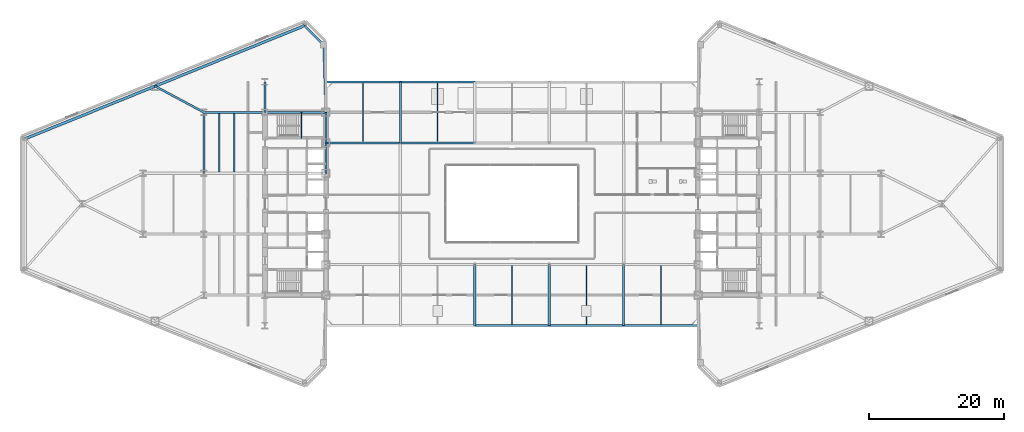
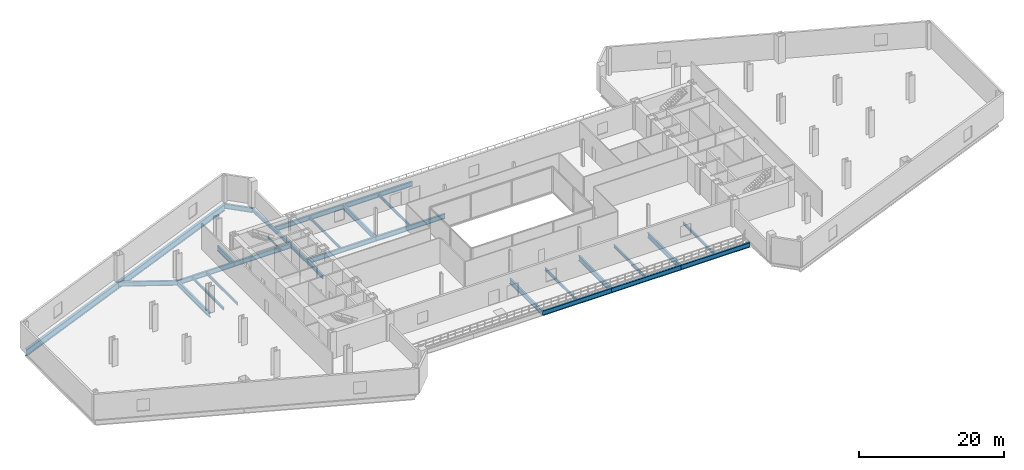
# One storey, part 11 of 23: 30 beams.
"""IFC4 building model written with IfcOpenShell, lengths in metres."""

from ifc_helpers import new_model, si_unit, direction, frame, origin, origin_2d, place, context, subcontext, project, spatial, i_section, extrude, source, transform, mapped, material, material_profile, profile_set, type_object, type_shapes, element, save


model = new_model("IFC4")

# Units and contexts
model_context = context("Model", 3, precision=1e-05, world=origin(), true_north=direction((0.0, 1.0)))
body_context = subcontext(model_context, "Body", "Model", "MODEL_VIEW")
ifc_project = project(units=[si_unit("LENGTHUNIT", "METRE"), si_unit("AREAUNIT", "SQUARE_METRE"), si_unit("VOLUMEUNIT", "CUBIC_METRE"), si_unit("PLANEANGLEUNIT", "RADIAN"), si_unit("MASSUNIT", "GRAM", prefix="KILO")], contexts=[model_context])

# Site, building, storey
site_placement = place(None, origin())
site = spatial("IfcSite", under=ifc_project, at=site_placement, CompositionType="ELEMENT")
building_placement = place(site_placement, origin())
building = spatial("IfcBuilding", under=site, at=building_placement, Name="Seokmaru Belvedere", CompositionType="ELEMENT")
storey_placement = place(building_placement, frame((0.0, 0.0, 14.39990234375)))
storey = spatial("IfcBuildingStorey", under=building, at=storey_placement, Name="L03", CompositionType="ELEMENT", Elevation=14.39990234375)

# Beams
ifc_material = material(Name="Steel SM355 (355 MPa)", Category="steel")
ifc_material_profile_1 = material_profile(ifc_material, i_section(OverallWidth=0.300048828125, OverallDepth=0.587890625, WebThickness=0.011962890625, FlangeThickness=0.02001953125, at=origin_2d()), Name="H-588x300x12x20")
ifc_profile_set_1 = profile_set([ifc_material_profile_1], Name="Steel SM355 (355 MPa)")
beam_type_1 = type_object("IfcBeamType", Name="Podium Edge Spandrel Beam H-588", PredefinedType="SPANDREL", material=ifc_profile_set_1)
shared_shape_1 = source(origin(), body_context, "Body", "SweptSolid", [
    extrude(i_section(OverallWidth=0.300048828125, OverallDepth=0.587890625, WebThickness=0.011962890625, FlangeThickness=0.02001953125, at=origin_2d()), origin(), (0.0, 0.0, 1.0), 4.5),
])
for number, where, z_axis, x_axis, name in (
    (1, (-27.5, 4.5, -0.573974609375), (0.0, 1.0, 0.0), (-1.0, 0.0, 0.0), "L03 W Portal Spine Spandrel 4"),
    (2, (-27.5, 9.0, -0.573974609375), (0.0, 1.0, 0.0), (-1.0, 0.0, 0.0), "L03 W Portal Spine Spandrel 5"),
):
    element("IfcBeam", number, at=place(storey_placement, frame(where, z_axis=z_axis, x_axis=x_axis)), inside=storey, type_object=beam_type_1, Name=name, PredefinedType="SPANDREL", context=body_context, shape_type="MappedRepresentation", body=[
        mapped(shared_shape_1, transform((0.0, 0.0, 0.0), scale=1.0)),
    ])
ifc_material_profile_2 = material_profile(ifc_material, i_section(OverallWidth=0.39990234375, OverallDepth=1.10009765625, WebThickness=0.02001953125, FlangeThickness=0.033935546875, at=origin_2d()), Name="BH-1100x400x20x34")
ifc_profile_set_2 = profile_set([ifc_material_profile_2], Name="Steel SM355 (355 MPa)")
beam_type_2 = type_object("IfcBeamType", Name="Sky-Gate Transverse Girder BH-1100", PredefinedType="BEAM", material=ifc_profile_set_2)
shared_shape_2 = source(origin(), body_context, "Body", "SweptSolid", [
    extrude(i_section(OverallWidth=0.39990234375, OverallDepth=1.10009765625, WebThickness=0.02001953125, FlangeThickness=0.033935546875, at=origin_2d()), origin(), (0.0, 0.0, 1.0), 23.811767578125),
])
beam_1_placement = place(storey_placement, frame((-30.643310546875, 26.294677734375, -0.829833984375), z_axis=(-0.92694579442, -0.375195274766, 0.0), x_axis=(0.375195274766, -0.92694579442, 0.0)))
element("IfcBeam", 3, at=beam_1_placement, inside=storey, type_object=beam_type_2, Name="L03 W Podium Long-Span Flank Girder N-1", PredefinedType="BEAM", context=body_context, shape_type="MappedRepresentation", body=[
    mapped(shared_shape_2, transform((0.0, 0.0, 0.0), scale=1.0)),
])
shared_shape_3 = source(origin(), body_context, "Body", "SweptSolid", [
    extrude(i_section(OverallWidth=0.39990234375, OverallDepth=1.10009765625, WebThickness=0.02001953125, FlangeThickness=0.033935546875, at=origin_2d()), origin(), (0.0, 0.0, 1.0), 20.6962890625),
])
type_shapes(beam_type_2, [shared_shape_2, shared_shape_3])
beam_2_placement = place(storey_placement, frame((-52.715576171875, 17.360595703125, -0.829833984375), z_axis=(-0.92695003666, -0.37518479385, 0.0), x_axis=(0.37518479385, -0.92695003666, 0.0)))
element("IfcBeam", 4, at=beam_2_placement, inside=storey, type_object=beam_type_2, Name="L03 W Podium Long-Span Flank Girder N-2", PredefinedType="BEAM", context=body_context, shape_type="MappedRepresentation", body=[
    mapped(shared_shape_3, transform((0.0, 0.0, 0.0), scale=1.0)),
])
shared_shape_4 = source(origin(), body_context, "Body", "SweptSolid", [
    extrude(i_section(OverallWidth=0.300048828125, OverallDepth=0.587890625, WebThickness=0.011962890625, FlangeThickness=0.02001953125, at=origin_2d()), origin(), (0.0, 0.0, 1.0), 9.9560546875),
])
type_shapes(beam_type_1, [shared_shape_1, shared_shape_4])
beam_3_placement = place(storey_placement, frame((-27.800048828125, 23.451416015625, -0.573974609375), z_axis=(0.030137674137, -0.999545757131, 0.0), x_axis=(0.999545757131, 0.030137674137, 0.0)))
element("IfcBeam", 5, at=beam_3_placement, inside=storey, type_object=beam_type_1, Name="L03 W Podium Spine Shoulder Tie N", PredefinedType="SPANDREL", context=body_context, shape_type="MappedRepresentation", body=[
    mapped(shared_shape_4, transform((0.0, 0.0, 0.0), scale=1.0)),
])
ifc_material_profile_3 = material_profile(ifc_material, i_section(OverallWidth=0.300048828125, OverallDepth=0.800048828125, WebThickness=0.013916015625, FlangeThickness=0.02587890625, at=origin_2d()), Name="H-800x300x14x26")
ifc_profile_set_3 = profile_set([ifc_material_profile_3], Name="Steel SM355 (355 MPa)")
beam_type_3 = type_object("IfcBeamType", Name="Podium Primary Girder H-800", PredefinedType="BEAM", material=ifc_profile_set_3)
shared_shape_5 = source(origin(), body_context, "Body", "SweptSolid", [
    extrude(i_section(OverallWidth=0.300048828125, OverallDepth=0.800048828125, WebThickness=0.013916015625, FlangeThickness=0.02587890625, at=origin_2d()), origin(), (0.0, 0.0, 1.0), 4.5),
])
beam_4_placement = place(storey_placement, frame((-36.5, 13.5, -0.679931640625), z_axis=(0.0, 1.0, 0.0), x_axis=(-1.0, 0.0, 0.0)))
element("IfcBeam", 6, at=beam_4_placement, inside=storey, type_object=beam_type_3, Name="L03 W Core Shoulder Girder N", PredefinedType="BEAM", context=body_context, shape_type="MappedRepresentation", body=[
    mapped(shared_shape_5, transform((0.0, 0.0, 0.0), scale=1.0)),
])
shared_shape_6 = source(origin(), body_context, "Body", "SweptSolid", [
    extrude(i_section(OverallWidth=0.300048828125, OverallDepth=0.800048828125, WebThickness=0.013916015625, FlangeThickness=0.02587890625, at=origin_2d()), origin(), (0.0, 0.0, 1.0), 9.0),
])
for number, where, z_axis, x_axis, name in (
    (7, (-45.5, 4.5, -0.679931640625), (0.0, 1.0, 0.0), (-1.0, 0.0, 0.0), "L03 W Interior Grid Girder 3"),
    (8, (-36.5, 13.5, -0.679931640625), (1.0, 0.0, 0.0), (0.0, 1.0, 0.0), "L03 W Core Tie Girder 4"),
    (9, (-45.5, 13.5, -0.679931640625), (1.0, 0.0, 0.0), (0.0, 1.0, 0.0), "L03 W Wing Primary Girder 4"),
    (10, (-16.5, 9.0, -0.679931640625), (0.0, 1.0, 0.0), (-1.0, 0.0, 0.0), "L03 Central Podium Transverse Girder 1-3"),
    (11, (-5.5, -18.0, -0.679931640625), (0.0, 1.0, 0.0), (-1.0, 0.0, 0.0), "L03 Central Podium Transverse Girder 2-1"),
    (12, (5.5, -18.0, -0.679931640625), (0.0, 1.0, 0.0), (-1.0, 0.0, 0.0), "L03 Central Podium Transverse Girder 3-1"),
    (13, (16.5, -18.0, -0.679931640625), (0.0, 1.0, 0.0), (-1.0, 0.0, 0.0), "L03 Central Podium Transverse Girder 4-1"),
):
    element("IfcBeam", number, at=place(storey_placement, frame(where, z_axis=z_axis, x_axis=x_axis)), inside=storey, type_object=beam_type_3, Name=name, PredefinedType="BEAM", context=body_context, shape_type="MappedRepresentation", body=[
        mapped(shared_shape_6, transform((0.0, 0.0, 0.0), scale=1.0)),
    ])
ifc_material_profile_4 = material_profile(ifc_material, i_section(OverallWidth=0.199951171875, OverallDepth=0.449951171875, WebThickness=0.009033203125, FlangeThickness=0.013916015625, at=origin_2d()), Name="H-450x200x9x14")
ifc_profile_set_4 = profile_set([ifc_material_profile_4], Name="Steel SM355 (355 MPa)")
beam_type_4 = type_object("IfcBeamType", Name="Podium Secondary Joist H-450", PredefinedType="JOIST", material=ifc_profile_set_4)
shared_shape_7 = source(origin(), body_context, "Body", "SweptSolid", [
    extrude(i_section(OverallWidth=0.199951171875, OverallDepth=0.449951171875, WebThickness=0.009033203125, FlangeThickness=0.013916015625, at=origin_2d()), origin(), (0.0, 0.0, 1.0), 8.68994140625),
])
type_shapes(beam_type_4, [shared_shape_7])
for number, where, z_axis, x_axis, name in (
    (14, (-43.25, 4.655029296875, -0.5048828125), (0.0, 1.0, 0.0), (-1.0, 0.0, 0.0), "L03 W Wing Inner Secondary Joist 2"),
    (15, (-41.0, 4.655029296875, -0.5048828125), (0.0, 1.0, 0.0), (-1.0, 0.0, 0.0), "L03 W Secondary Floor Joist 3"),
    (16, (-22.0, 9.155029296875, -0.5048828125), (0.0, 1.0, 0.0), (-1.0, 0.0, 0.0), "L03 Central Podium Secondary Joist 1-3"),
    (17, (-11.0, 9.155029296875, -0.5048828125), (0.0, 1.0, 0.0), (-1.0, 0.0, 0.0), "L03 Central Podium Secondary Joist 2-3"),
    (18, (0.0, -17.844970703125, -0.5048828125), (0.0, 1.0, 0.0), (-1.0, 0.0, 0.0), "L03 Central Podium Secondary Joist 3-2"),
    (19, (11.0, -17.844970703125, -0.5048828125), (0.0, 1.0, 0.0), (-1.0, 0.0, 0.0), "L03 Central Podium Secondary Joist 4-2"),
    (20, (22.0, -17.844970703125, -0.5048828125), (0.0, 1.0, 0.0), (-1.0, 0.0, 0.0), "L03 Central Podium Secondary Joist 5-2"),
):
    element("IfcBeam", number, at=place(storey_placement, frame(where, z_axis=z_axis, x_axis=x_axis)), inside=storey, type_object=beam_type_4, Name=name, PredefinedType="JOIST", context=body_context, shape_type="MappedRepresentation", body=[
        mapped(shared_shape_7, transform((0.0, 0.0, 0.0), scale=1.0)),
    ])
shared_shape_8 = source(origin(), body_context, "Body", "SweptSolid", [
    extrude(i_section(OverallWidth=0.300048828125, OverallDepth=0.800048828125, WebThickness=0.013916015625, FlangeThickness=0.02587890625, at=origin_2d()), origin(), (0.0, 0.0, 1.0), 4.02099609375),
])
beam_5_placement = place(storey_placement, frame((-30.643310546875, 26.294677734375, -0.679931640625), z_axis=(0.707106781187, -0.707106781187, 0.0), x_axis=(0.707106781187, 0.707106781187, 0.0)))
element("IfcBeam", 21, at=beam_5_placement, inside=storey, type_object=beam_type_3, Name="L03 W Podium North Shoulder Girder", PredefinedType="BEAM", context=body_context, shape_type="MappedRepresentation", body=[
    mapped(shared_shape_8, transform((0.0, 0.0, 0.0), scale=1.0)),
])
shared_shape_9 = source(origin(), body_context, "Body", "SweptSolid", [
    extrude(i_section(OverallWidth=0.300048828125, OverallDepth=0.800048828125, WebThickness=0.013916015625, FlangeThickness=0.02587890625, at=origin_2d()), origin(), (0.0, 0.0, 1.0), 8.183349609375),
])
beam_6_placement = place(storey_placement, frame((-52.715576171875, 17.360595703125, -0.679931640625), z_axis=(0.881728657166, -0.47175690258, 0.0), x_axis=(0.47175690258, 0.881728657166, 0.0)))
element("IfcBeam", 22, at=beam_6_placement, inside=storey, type_object=beam_type_3, Name="L03 W Flank Radial Floor Girder N-2", PredefinedType="BEAM", context=body_context, shape_type="MappedRepresentation", body=[
    mapped(shared_shape_9, transform((0.0, 0.0, 0.0), scale=1.0)),
])
shared_shape_10 = source(origin(), body_context, "Body", "SweptSolid", [
    extrude(i_section(OverallWidth=0.300048828125, OverallDepth=0.800048828125, WebThickness=0.013916015625, FlangeThickness=0.02587890625, at=origin_2d()), origin(), (0.0, 0.0, 1.0), 11.0),
])
type_shapes(beam_type_3, [shared_shape_5, shared_shape_6, shared_shape_8, shared_shape_9, shared_shape_10])
for number, where, z_axis, x_axis, name in (
    (23, (-5.5, -18.0, -0.679931640625), (1.0, 0.0, 0.0), (0.0, 1.0, 0.0), "L03 Central Podium Girder 1-3"),
    (24, (5.5, -18.0, -0.679931640625), (1.0, 0.0, 0.0), (0.0, 1.0, 0.0), "L03 Central Podium Girder 1-4"),
    (25, (16.5, -18.0, -0.679931640625), (1.0, 0.0, 0.0), (0.0, 1.0, 0.0), "L03 Central Podium Girder 1-5"),
    (26, (-27.5, 9.0, -0.679931640625), (1.0, 0.0, 0.0), (0.0, 1.0, 0.0), "L03 Central Podium Girder 3-1"),
    (27, (-16.5, 9.0, -0.679931640625), (1.0, 0.0, 0.0), (0.0, 1.0, 0.0), "L03 Central Podium Girder 3-2"),
    (28, (-27.5, 18.0, -0.679931640625), (1.0, 0.0, 0.0), (0.0, 1.0, 0.0), "L03 Central Podium Girder 4-1"),
    (29, (-16.5, 18.0, -0.679931640625), (1.0, 0.0, 0.0), (0.0, 1.0, 0.0), "L03 Central Podium Girder 4-2"),
):
    element("IfcBeam", number, at=place(storey_placement, frame(where, z_axis=z_axis, x_axis=x_axis)), inside=storey, type_object=beam_type_3, Name=name, PredefinedType="BEAM", context=body_context, shape_type="MappedRepresentation", body=[
        mapped(shared_shape_10, transform((0.0, 0.0, 0.0), scale=1.0)),
    ])
ifc_material_profile_5 = material_profile(ifc_material, i_section(OverallWidth=0.125, OverallDepth=0.25, WebThickness=0.006103515625, FlangeThickness=0.009033203125, at=origin_2d()), Name="H-250x125x6x9")
ifc_profile_set_5 = profile_set([ifc_material_profile_5], Name="Steel SM355 (355 MPa)")
beam_type_5 = type_object("IfcBeamType", Name="Stair Mid-Landing Support Beam H-250", PredefinedType="JOIST", material=ifc_profile_set_5)
shared_shape_11 = source(origin(), body_context, "Body", "SweptSolid", [
    extrude(i_section(OverallWidth=0.125, OverallDepth=0.25, WebThickness=0.006103515625, FlangeThickness=0.009033203125, at=origin_2d()), origin(), (0.0, 0.0, 1.0), 3.800048828125),
])
type_shapes(beam_type_5, [shared_shape_11])
beam_7_placement = place(storey_placement, frame((-31.090087890625, 9.699951171875, 1.925048828125), z_axis=(0.0, 1.0, 0.0), x_axis=(-1.0, 0.0, 0.0)))
element("IfcBeam", 30, at=beam_7_placement, inside=storey, type_object=beam_type_5, Name="L03 Stair ST-W2 Mid-Landing Support Beam 1", PredefinedType="JOIST", context=body_context, shape_type="MappedRepresentation", body=[
    mapped(shared_shape_11, transform((0.0, 0.0, 0.0), scale=1.0)),
])

save(model, "model.ifc")
